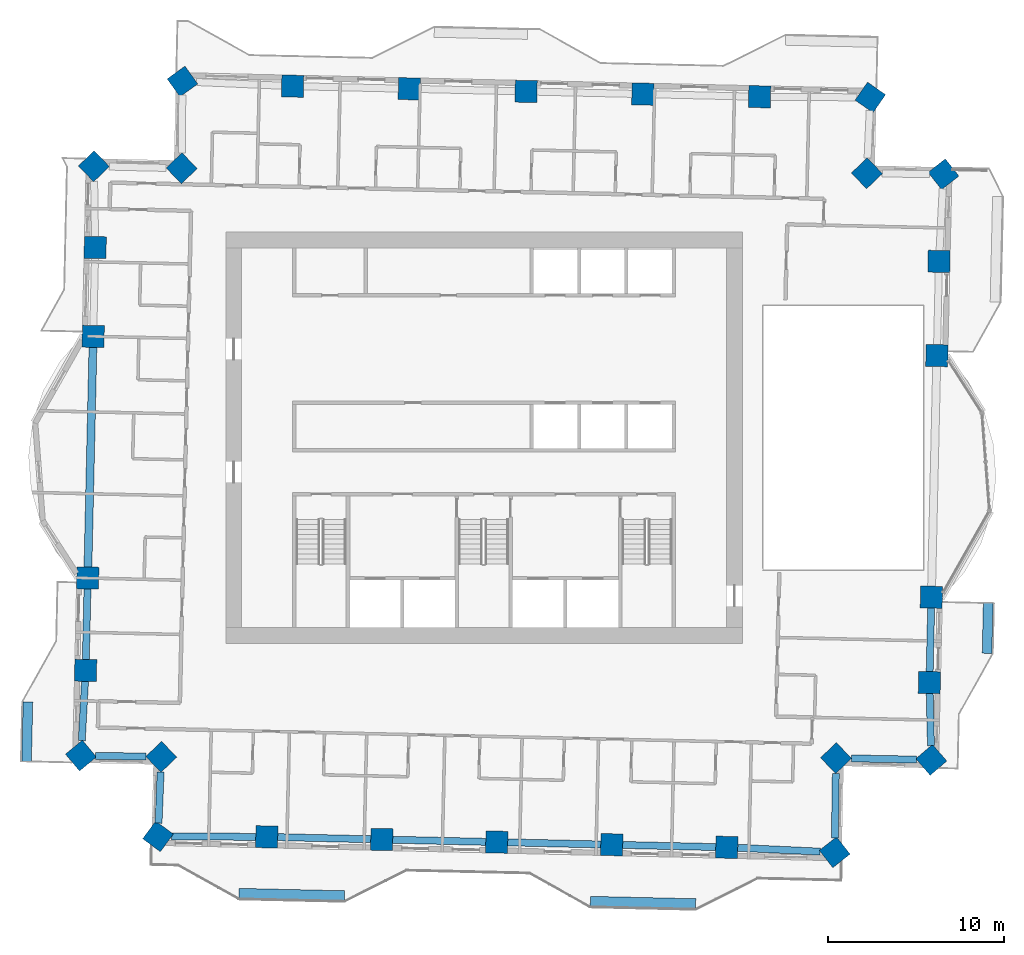
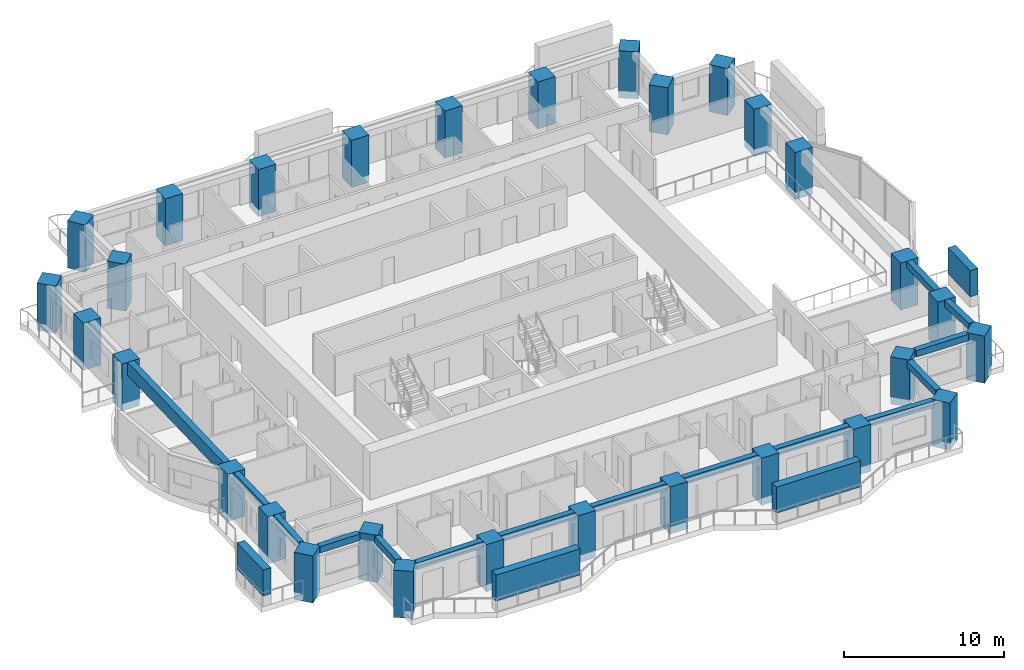
# One storey, part 1 of 14: 30 columns, 15 beams, 4 members.
"""IFC4 building model written with IfcOpenShell, lengths in metres."""

from ifc_helpers import new_model, si_unit, direction, frame, origin, origin_2d, place, context, subcontext, project, spatial, rectangle, extrude, material, material_profile, profile_set, type_object, element, save


model = new_model("IFC4")

# Units and contexts
model_context = context("Model", 3, precision=1e-05, world=origin(), true_north=direction((0.0, 1.0)))
body_context = subcontext(model_context, "Body", "Model", "MODEL_VIEW")
ifc_project = project(units=[si_unit("LENGTHUNIT", "METRE"), si_unit("AREAUNIT", "SQUARE_METRE"), si_unit("VOLUMEUNIT", "CUBIC_METRE"), si_unit("PLANEANGLEUNIT", "RADIAN"), si_unit("MASSUNIT", "GRAM", prefix="KILO")], contexts=[model_context])

# Site, building, storey
site_placement = place(None, origin())
site = spatial("IfcSite", under=ifc_project, at=site_placement, CompositionType="ELEMENT")
building_placement = place(site_placement, origin())
building = spatial("IfcBuilding", under=site, at=building_placement, Name="Mangrove Gate Tower", CompositionType="ELEMENT")
storey_placement = place(building_placement, frame((0.0, 0.0, 163.5)))
storey = spatial("IfcBuildingStorey", under=building, at=storey_placement, Name="L41", CompositionType="ELEMENT", Elevation=163.5)

# Columns
ifc_material_1 = material(Name="Concrete C60/75", Category="concrete")
ifc_material_profile_1 = material_profile(ifc_material_1, rectangle(XDim=1.25, YDim=1.25, at=origin_2d()))
ifc_profile_set_1 = profile_set([ifc_material_profile_1], Name="Concrete C60/75")
column_type = type_object("IfcColumnType", Name="Column RC 1250x1250 C60/75", PredefinedType="COLUMN", material=ifc_profile_set_1)
for number, where, z_axis, x_axis, name in (
    (1, (-22.565185546875, -7.979248046875, -0.550048828125), (0.0, 0.0, 1.0), (-0.022667651322, -0.999743055782, 0.0), "Column L41 W05"),
    (2, (-22.68408203125, -13.240234375, -0.550048828125), (0.0, 0.0, 1.0), (-0.022613490188, -0.999744282335, 0.0), "Column L41 W06"),
    (3, (-22.9482421875, -18.08642578125, -0.550048828125), (0.0, 0.0, 1.0), (0.640873753585, -0.767646293527, 0.0), "Column L41 W07"),
    (4, (-18.378173828125, -18.1591796875, -0.550048828125), (0.0, 0.0, 1.0), (0.690859559249, -0.722988982899, 0.0), "Column L41 W08"),
    (5, (-18.563232421875, -22.686767578125, -0.550048828125), (0.0, 0.0, 1.0), (0.804996144733, -0.593280040929, 0.0), "Column L41 S01"),
    (6, (-12.374755859375, -22.713134765625, -0.550048828125), (0.0, 0.0, 1.0), (0.999742702367, -0.022683233105, 0.0), "Column L41 S02"),
    (7, (-5.829833984375, -22.862060546875, -0.550048828125), (0.0, 0.0, 1.0), (0.999742702367, -0.022683233105, 0.0), "Column L41 S03"),
    (8, (0.715087890625, -23.01025390625, -0.550048828125), (0.0, 0.0, 1.0), (0.999742702367, -0.022683233105, 0.0), "Column L41 S04"),
    (9, (7.26025390625, -23.1591796875, -0.550048828125), (0.0, 0.0, 1.0), (0.999742702367, -0.022683233105, 0.0), "Column L41 S05"),
    (10, (13.80517578125, -23.30712890625, -0.550048828125), (0.0, 0.0, 1.0), (0.999742702367, -0.022683233105, 0.0), "Column L41 S06"),
    (11, (19.94921875, -23.590087890625, -0.550048828125), (0.0, 0.0, 1.0), (0.785651346068, 0.618669509853, 0.0), "Column L41 S07"),
    (12, (20.026123046875, -18.230224609375, -0.550048828125), (0.0, 0.0, 1.0), (0.722965976266, 0.690883635037, 0.0), "Column L41 E01"),
    (13, (25.449462890625, -18.3310546875, -0.550048828125), (0.0, 0.0, 1.0), (0.758167511602, 0.65205983188, 0.0), "Column L41 E02"),
    (14, (25.342041015625, -13.9296875, -0.550048828125), (0.0, 0.0, 1.0), (0.022726069892, 0.999741729522, 0.0), "Column L41 E03"),
    (15, (25.453125, -9.06884765625, -0.550048828125), (0.0, 0.0, 1.0), (0.022725057863, 0.999741752527, 0.0), "Column L41 E04"),
    (16, (25.76513671875, 4.67919921875, -0.550048828125), (0.0, 0.0, 1.0), (0.022654843895, 0.999743346088, 0.0), "Column L41 E05"),
    (17, (25.88623046875, 10.0390625, -0.550048828125), (0.0, 0.0, 1.0), (0.022659973846, 0.999743229827, 0.0), "Column L41 E06"),
    (18, (26.140869140625, 15.000732421875, -0.550048828125), (0.0, 0.0, 1.0), (-0.616591984417, 0.787282874672, 0.0), "Column L41 E07"),
    (19, (21.7822265625, 15.05419921875, -0.550048828125), (0.0, 0.0, 1.0), (-0.690854032309, 0.722994264183, 0.0), "Column L41 E08"),
    (20, (21.977294921875, 19.371826171875, -0.550048828125), (0.0, 0.0, 1.0), (-0.821084149613, 0.570807164684, 0.0), "Column L41 N01"),
    (21, (15.6748046875, 19.4111328125, -0.550048828125), (0.0, 0.0, 1.0), (-0.999741913136, 0.022717991104, 0.0), "Column L41 N02"),
    (22, (9.02978515625, 19.562255859375, -0.550048828125), (0.0, 0.0, 1.0), (-0.999741913136, 0.022717991104, 0.0), "Column L41 N03"),
    (23, (2.384765625, 19.713134765625, -0.550048828125), (0.0, 0.0, 1.0), (-0.999743618843, 0.022642804212, 0.0), "Column L41 N04"),
    (24, (-4.26025390625, 19.86328125, -0.550048828125), (0.0, 0.0, 1.0), (-0.999743618843, 0.022642804212, 0.0), "Column L41 N05"),
    (25, (-10.9052734375, 20.01416015625, -0.550048828125), (0.0, 0.0, 1.0), (-0.999741913136, 0.022717991104, 0.0), "Column L41 N06"),
    (26, (-17.171630859375, 20.2822265625, -0.550048828125), (0.0, 0.0, 1.0), (-0.812545678333, -0.582897521545, 0.0), "Column L41 N07"),
    (27, (-17.21728515625, 15.339111328125, -0.550048828125), (0.0, 0.0, 1.0), (-0.722976563275, -0.690872556232, 0.0), "Column L41 W01"),
    (28, (-22.21337890625, 15.455810546875, -0.550048828125), (0.0, 0.0, 1.0), (-0.718744863036, -0.695273918581, 0.0), "Column L41 W02"),
    (29, (-22.13818359375, 10.829833984375, -0.550048828125), (0.0, 0.0, 1.0), (-0.022716926728, -0.999741937322, 0.0), "Column L41 W03"),
    (30, (-22.253173828125, 5.768798828125, -0.550048828125), (0.0, 0.0, 1.0), (-0.022696057972, -0.9997424113, 0.0), "Column L41 W04"),
):
    element("IfcColumn", number, at=place(storey_placement, frame(where, z_axis=z_axis, x_axis=x_axis)), inside=storey, type_object=column_type, Name=name, PredefinedType="COLUMN", context=body_context, shape_type="SweptSolid", body=[
        extrude(rectangle(XDim=1.25, YDim=1.25, at=origin_2d()), origin(), (0.0, 0.0, 1.0), 3.60009765625),
    ])

# Members
ifc_material_2 = material(Name="Planting on aluminium trellis", Category="aluminium")
ifc_material_profile_2 = material_profile(ifc_material_2, rectangle(XDim=0.550048828125, YDim=2.0, at=origin_2d()))
ifc_profile_set_2 = profile_set([ifc_material_profile_2], Name="Planting on aluminium trellis")
member_type = type_object("IfcMemberType", Name="Balcony greenery screen 550x2000", PredefinedType="USERDEFINED", material=ifc_profile_set_2)
member_1_placement = place(storey_placement, frame((28.62109375, -12.26611328125, 1.800048828125), z_axis=(0.022590224177, 0.999744808324, 0.0), x_axis=(-0.999744808324, 0.022590224177, 0.0)))
element("IfcMember", 31, at=member_1_placement, inside=storey, type_object=member_type, Name="GREEN SCREEN L41 E0.1", ObjectType="PLANTING", PredefinedType="USERDEFINED", context=body_context, shape_type="SweptSolid", body=[
    extrude(rectangle(XDim=0.550048828125, YDim=2.0, at=origin_2d()), origin(), (0.0, 0.0, 1.0), 2.874755859375),
])
member_2_placement = place(storey_placement, frame((-26.04296875, -18.427001953125, 1.800048828125), z_axis=(0.022620270121, 0.999744128955, 0.0), x_axis=(-0.999744128955, 0.022620270121, 0.0)))
element("IfcMember", 32, at=member_2_placement, inside=storey, type_object=member_type, Name="GREEN SCREEN L41 W1.1", ObjectType="PLANTING", PredefinedType="USERDEFINED", context=body_context, shape_type="SweptSolid", body=[
    extrude(rectangle(XDim=0.550048828125, YDim=2.0, at=origin_2d()), origin(), (0.0, 0.0, 1.0), 3.39990234375),
])
member_3_placement = place(storey_placement, frame((-13.955078125, -25.91796875, 1.800048828125), z_axis=(0.999743178102, -0.022662255828, 0.0), x_axis=(0.022662255828, 0.999743178102, 0.0)))
element("IfcMember", 33, at=member_3_placement, inside=storey, type_object=member_type, Name="GREEN SCREEN L41 S0.1", ObjectType="PLANTING", PredefinedType="USERDEFINED", context=body_context, shape_type="SweptSolid", body=[
    extrude(rectangle(XDim=0.550048828125, YDim=2.0, at=origin_2d()), origin(), (0.0, 0.0, 1.0), 6.00048828125),
])
member_4_placement = place(storey_placement, frame((6.0400390625, -26.3720703125, 1.800048828125), z_axis=(0.999743094499, -0.022665943652, 0.0), x_axis=(0.022665943652, 0.999743094499, 0.0)))
element("IfcMember", 34, at=member_4_placement, inside=storey, type_object=member_type, Name="GREEN SCREEN L41 S1.1", ObjectType="PLANTING", PredefinedType="USERDEFINED", context=body_context, shape_type="SweptSolid", body=[
    extrude(rectangle(XDim=0.550048828125, YDim=2.0, at=origin_2d()), origin(), (0.0, 0.0, 1.0), 5.99951171875),
])

# Beams
ifc_material_3 = material(Name="Concrete C50/60", Category="concrete")
ifc_material_profile_3 = material_profile(ifc_material_3, rectangle(XDim=0.39990234375, YDim=0.5, at=origin_2d()))
ifc_profile_set_3 = profile_set([ifc_material_profile_3], Name="Concrete C50/60")
beam_type_1 = type_object("IfcBeamType", Name="Edge beam RC 400x500 C50/60", PredefinedType="BEAM", material=ifc_profile_set_3)
beam_1_placement = place(storey_placement, frame((-22.579345703125, -8.60400390625, 2.800048828125), z_axis=(-0.02257489059, -0.999745154684, 0.0), x_axis=(0.999745154684, -0.02257489059, 0.0)))
element("IfcBeam", 35, at=beam_1_placement, inside=storey, type_object=beam_type_1, Name="Edge beam L41 00", PredefinedType="BEAM", context=body_context, shape_type="SweptSolid", body=[
    extrude(rectangle(XDim=0.39990234375, YDim=0.5, at=origin_2d()), origin(), (0.0, 0.0, 1.0), 4.01220703125),
])
beam_2_placement = place(storey_placement, frame((-22.71826171875, -13.864501953125, 2.800048828125), z_axis=(-0.054415957845, -0.998518354129, 0.0), x_axis=(0.998518354129, -0.054415957845, 0.0)))
element("IfcBeam", 36, at=beam_2_placement, inside=storey, type_object=beam_type_1, Name="Edge beam L41 01", PredefinedType="BEAM", context=body_context, shape_type="SweptSolid", body=[
    extrude(rectangle(XDim=0.39990234375, YDim=0.5, at=origin_2d()), origin(), (0.0, 0.0, 1.0), 3.373779296875),
])
beam_3_placement = place(storey_placement, frame((-22.123046875, -18.099609375, 2.800048828125), z_axis=(0.999873252746, -0.015921006324, 0.0), x_axis=(0.015921006324, 0.999873252746, 0.0)))
element("IfcBeam", 37, at=beam_3_placement, inside=storey, type_object=beam_type_1, Name="Edge beam L41 02", PredefinedType="BEAM", context=body_context, shape_type="SweptSolid", body=[
    extrude(rectangle(XDim=0.39990234375, YDim=0.5, at=origin_2d()), origin(), (0.0, 0.0, 1.0), 2.867431640625),
])
beam_4_placement = place(storey_placement, frame((-18.41357421875, -19.02685546875, 2.800048828125), z_axis=(-0.040876425579, -0.999164209643, 0.0), x_axis=(0.999164209643, -0.040876425579, 0.0)))
element("IfcBeam", 38, at=beam_4_placement, inside=storey, type_object=beam_type_1, Name="Edge beam L41 03", PredefinedType="BEAM", context=body_context, shape_type="SweptSolid", body=[
    extrude(rectangle(XDim=0.39990234375, YDim=0.5, at=origin_2d()), origin(), (0.0, 0.0, 1.0), 2.90869140625),
])
beam_5_placement = place(storey_placement, frame((-17.789306640625, -22.690185546875, 2.800048828125), z_axis=(0.999991049338, -0.004230986241, 0.0), x_axis=(0.004230986241, 0.999991049338, 0.0)))
element("IfcBeam", 39, at=beam_5_placement, inside=storey, type_object=beam_type_1, Name="Edge beam L41 04", PredefinedType="BEAM", context=body_context, shape_type="SweptSolid", body=[
    extrude(rectangle(XDim=0.39990234375, YDim=0.5, at=origin_2d()), origin(), (0.0, 0.0, 1.0), 4.789306640625),
])
for number, where, z_axis, x_axis, name in (
    (40, (-11.75, -22.727294921875, 2.800048828125), (0.999740739783, -0.022769567794, 0.0), (0.022769567794, 0.999740739783, 0.0), "Edge beam L41 05"),
    (41, (-5.205078125, -22.876220703125, 2.800048828125), (0.999743877925, -0.022631362105, 0.0), (0.022631362105, 0.999743877925, 0.0), "Edge beam L41 06"),
):
    element("IfcBeam", number, at=place(storey_placement, frame(where, z_axis=z_axis, x_axis=x_axis)), inside=storey, type_object=beam_type_1, Name=name, PredefinedType="BEAM", context=body_context, shape_type="SweptSolid", body=[
        extrude(rectangle(XDim=0.39990234375, YDim=0.5, at=origin_2d()), origin(), (0.0, 0.0, 1.0), 5.296875),
    ])
beam_6_placement = place(storey_placement, frame((1.340087890625, -23.0244140625, 2.800048828125), z_axis=(0.999740715885, -0.022770617071, 0.0), x_axis=(0.022770617071, 0.999740715885, 0.0)))
element("IfcBeam", 42, at=beam_6_placement, inside=storey, type_object=beam_type_1, Name="Edge beam L41 07", PredefinedType="BEAM", context=body_context, shape_type="SweptSolid", body=[
    extrude(rectangle(XDim=0.39990234375, YDim=0.5, at=origin_2d()), origin(), (0.0, 0.0, 1.0), 5.296630859375),
])
beam_7_placement = place(storey_placement, frame((7.885009765625, -23.17333984375, 2.800048828125), z_axis=(0.999744919731, -0.022585293253, 0.0), x_axis=(0.022585293253, 0.999744919731, 0.0)))
element("IfcBeam", 43, at=beam_7_placement, inside=storey, type_object=beam_type_1, Name="Edge beam L41 08", PredefinedType="BEAM", context=body_context, shape_type="SweptSolid", body=[
    extrude(rectangle(XDim=0.39990234375, YDim=0.5, at=origin_2d()), origin(), (0.0, 0.0, 1.0), 5.296875),
])
beam_8_placement = place(storey_placement, frame((14.4296875, -23.3359375, 2.800048828125), z_axis=(0.998942344902, -0.045980338859, 0.0), x_axis=(0.045980338859, 0.998942344902, 0.0)))
element("IfcBeam", 44, at=beam_8_placement, inside=storey, type_object=beam_type_1, Name="Edge beam L41 09", PredefinedType="BEAM", context=body_context, shape_type="SweptSolid", body=[
    extrude(rectangle(XDim=0.39990234375, YDim=0.5, at=origin_2d()), origin(), (0.0, 0.0, 1.0), 4.698974609375),
])
beam_9_placement = place(storey_placement, frame((19.9609375, -22.785400390625, 2.800048828125), z_axis=(0.014333541957, 0.999897269511, 0.0), x_axis=(-0.999897269511, 0.014333541957, 0.0)))
element("IfcBeam", 45, at=beam_9_placement, inside=storey, type_object=beam_type_1, Name="Edge beam L41 10", PredefinedType="BEAM", context=body_context, shape_type="SweptSolid", body=[
    extrude(rectangle(XDim=0.39990234375, YDim=0.5, at=origin_2d()), origin(), (0.0, 0.0, 1.0), 3.67919921875),
])
beam_10_placement = place(storey_placement, frame((20.90625, -18.24658203125, 2.800048828125), z_axis=(0.999827422602, -0.018577540566, 0.0), x_axis=(0.018577540566, 0.999827422602, 0.0)))
element("IfcBeam", 46, at=beam_10_placement, inside=storey, type_object=beam_type_1, Name="Edge beam L41 11", PredefinedType="BEAM", context=body_context, shape_type="SweptSolid", body=[
    extrude(rectangle(XDim=0.39990234375, YDim=0.5, at=origin_2d()), origin(), (0.0, 0.0, 1.0), 3.7060546875),
])
beam_11_placement = place(storey_placement, frame((25.4296875, -17.523681640625, 2.800048828125), z_axis=(-0.024338897392, 0.999703765159, 0.0), x_axis=(-0.999703765159, -0.024338897392, 0.0)))
element("IfcBeam", 47, at=beam_11_placement, inside=storey, type_object=beam_type_1, Name="Edge beam L41 12", PredefinedType="BEAM", context=body_context, shape_type="SweptSolid", body=[
    extrude(rectangle(XDim=0.39990234375, YDim=0.5, at=origin_2d()), origin(), (0.0, 0.0, 1.0), 2.96923828125),
])
beam_12_placement = place(storey_placement, frame((25.3564453125, -13.304931640625, 2.800048828125), z_axis=(0.022844226229, 0.999739036613, 0.0), x_axis=(-0.999739036613, 0.022844226229, 0.0)))
element("IfcBeam", 48, at=beam_12_placement, inside=storey, type_object=beam_type_1, Name="Edge beam L41 13", PredefinedType="BEAM", context=body_context, shape_type="SweptSolid", body=[
    extrude(rectangle(XDim=0.39990234375, YDim=0.5, at=origin_2d()), origin(), (0.0, 0.0, 1.0), 3.6123046875),
])
ifc_material_4 = material(Name="Concrete C50/60", Category="concrete")
ifc_material_profile_4 = material_profile(ifc_material_4, rectangle(XDim=0.449951171875, YDim=1.0, at=origin_2d()))
ifc_profile_set_4 = profile_set([ifc_material_profile_4], Name="Concrete C50/60")
beam_type_2 = type_object("IfcBeamType", Name="Edge beam RC 450x1000 C50/60", PredefinedType="BEAM", material=ifc_profile_set_4)
beam_13_placement = place(storey_placement, frame((-22.267333984375, 5.14404296875, 2.550048828125), z_axis=(-0.02269257074, -0.999742490461, 0.0), x_axis=(0.999742490461, -0.02269257074, 0.0)))
element("IfcBeam", 49, at=beam_13_placement, inside=storey, type_object=beam_type_2, Name="Edge beam L41 29", PredefinedType="BEAM", context=body_context, shape_type="SweptSolid", body=[
    extrude(rectangle(XDim=0.449951171875, YDim=1.0, at=origin_2d()), origin(), (0.0, 0.0, 1.0), 12.50146484375),
])

save(model, "model.ifc")
